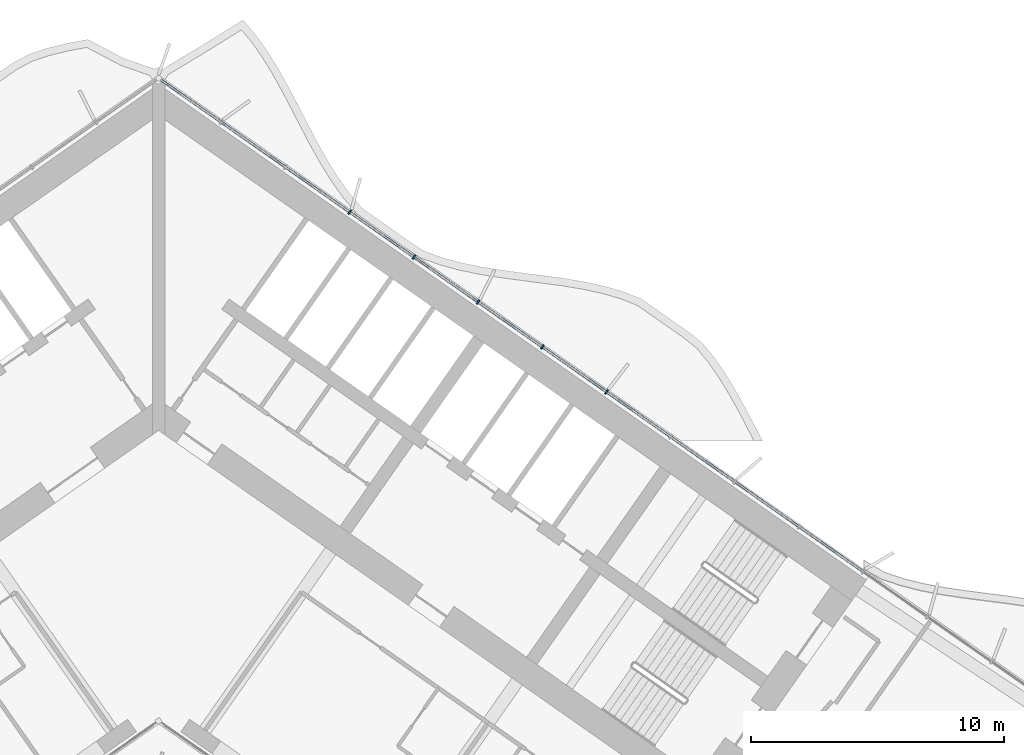
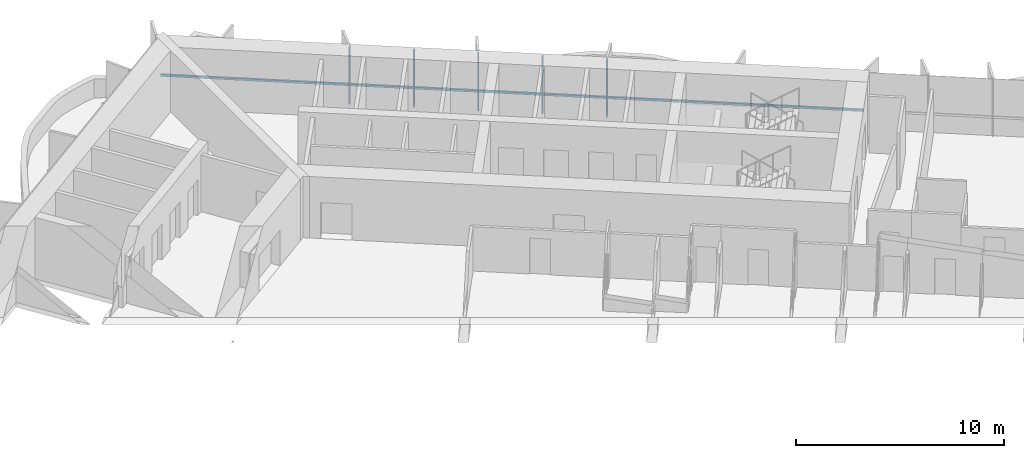
# One storey, part 8 of 25: 6 members, 1 element without a shape of its own.
"""IFC4 building model written with IfcOpenShell, lengths in metres."""

from ifc_helpers import new_model, si_unit, direction, frame, origin, origin_2d, place, context, subcontext, project, spatial, rectangle, extrude, material, material_profile, profile_set, type_object, element, aggregate, save


model = new_model("IFC4")

# Units and contexts
model_context = context("Model", 3, precision=1e-05, world=origin(), true_north=direction((0.0, 1.0)))
body_context = subcontext(model_context, "Body", "Model", "MODEL_VIEW")
ifc_project = project(units=[si_unit("LENGTHUNIT", "METRE"), si_unit("AREAUNIT", "SQUARE_METRE"), si_unit("VOLUMEUNIT", "CUBIC_METRE"), si_unit("PLANEANGLEUNIT", "RADIAN"), si_unit("MASSUNIT", "GRAM", prefix="KILO")], contexts=[model_context])

# Site, building, storey
site_placement = place(None, origin())
site = spatial("IfcSite", under=ifc_project, at=site_placement, CompositionType="ELEMENT")
building_placement = place(site_placement, origin())
building = spatial("IfcBuilding", under=site, at=building_placement, Name="Tel Ilan Convention Tower", CompositionType="ELEMENT")
storey_placement = place(building_placement, frame((0.0, 0.0, 97.699951171875)))
storey = spatial("IfcBuildingStorey", under=building, at=storey_placement, Name="L20", CompositionType="ELEMENT", Elevation=97.699951171875)

# Curtain wall, members
ifc_material_1 = material(Name="Aluminium, bronze anodised", Category="aluminium")
curtain_wall_type = type_object("IfcCurtainWallType", Name="CW2 STICK CURTAIN WALL, SPANDREL PANELS", PredefinedType="NOTDEFINED", material=ifc_material_1)
curtain_wall_placement = place(storey_placement, origin())
curtain_wall = element("IfcCurtainWall", 1, at=curtain_wall_placement, inside=storey, type_object=curtain_wall_type, Name="Curtain wall CW2-18.01", PredefinedType="NOTDEFINED")
ifc_material_2 = material(Name="Aluminium, bronze anodised", Category="aluminium")
ifc_material_profile_1 = material_profile(ifc_material_2, rectangle(XDim=0.06005859375, YDim=0.199951171875, at=origin_2d()), Name="CW MULLION 60x200")
ifc_profile_set_1 = profile_set([ifc_material_profile_1], Name="Aluminium, bronze anodised")
member_type_1 = type_object("IfcMemberType", Name="CW MULLION 60x200", PredefinedType="MULLION", material=ifc_profile_set_1)
member_1_placement = place(storey_placement, frame((17.701171875, 0.301513671875, 0.0), z_axis=(0.0, 0.0, 1.0), x_axis=(-0.819152044289, 0.573576436351, 0.0)))
member_1 = element("IfcMember", 2, at=member_1_placement, type_object=member_type_1, Name="Mullion", PredefinedType="MULLION", context=body_context, shape_type="SweptSolid", body=[
    extrude(rectangle(XDim=0.06005859375, YDim=0.199951171875, at=origin_2d()), origin(), (0.0, 0.0, 1.0), 3.320068359375),
])
member_2_placement = place(storey_placement, frame((15.1640625, 2.077880859375, 0.0), z_axis=(0.0, 0.0, 1.0), x_axis=(-0.819152044289, 0.573576436351, 0.0)))
member_2 = element("IfcMember", 3, at=member_2_placement, type_object=member_type_1, Name="Mullion", PredefinedType="MULLION", context=body_context, shape_type="SweptSolid", body=[
    extrude(rectangle(XDim=0.06005859375, YDim=0.199951171875, at=origin_2d()), origin(), (0.0, 0.0, 1.0), 3.320068359375),
])
member_3_placement = place(storey_placement, frame((12.627197265625, 3.854248046875, 0.0), z_axis=(0.0, 0.0, 1.0), x_axis=(-0.819152044289, 0.573576436351, 0.0)))
member_3 = element("IfcMember", 4, at=member_3_placement, type_object=member_type_1, Name="Mullion", PredefinedType="MULLION", context=body_context, shape_type="SweptSolid", body=[
    extrude(rectangle(XDim=0.06005859375, YDim=0.199951171875, at=origin_2d()), origin(), (0.0, 0.0, 1.0), 3.320068359375),
])
member_4_placement = place(storey_placement, frame((10.09033203125, 5.630615234375, 0.0), z_axis=(0.0, 0.0, 1.0), x_axis=(-0.819152044289, 0.573576436351, 0.0)))
member_4 = element("IfcMember", 5, at=member_4_placement, type_object=member_type_1, Name="Mullion", PredefinedType="MULLION", context=body_context, shape_type="SweptSolid", body=[
    extrude(rectangle(XDim=0.06005859375, YDim=0.199951171875, at=origin_2d()), origin(), (0.0, 0.0, 1.0), 3.320068359375),
])
member_5_placement = place(storey_placement, frame((7.553466796875, 7.406982421875, 0.0), z_axis=(0.0, 0.0, 1.0), x_axis=(-0.819152044289, 0.573576436351, 0.0)))
member_5 = element("IfcMember", 6, at=member_5_placement, type_object=member_type_1, Name="Mullion", PredefinedType="MULLION", context=body_context, shape_type="SweptSolid", body=[
    extrude(rectangle(XDim=0.06005859375, YDim=0.199951171875, at=origin_2d()), origin(), (0.0, 0.0, 1.0), 3.320068359375),
])
ifc_material_3 = material(Name="Aluminium, bronze anodised", Category="aluminium")
ifc_material_profile_2 = material_profile(ifc_material_3, rectangle(XDim=0.10009765625, YDim=0.1201171875, at=origin_2d()), Name="CW TRANSOM 100x120")
ifc_profile_set_2 = profile_set([ifc_material_profile_2], Name="Aluminium, bronze anodised")
member_type_2 = type_object("IfcMemberType", Name="CW TRANSOM 100x120", PredefinedType="USERDEFINED", material=ifc_profile_set_2)
member_6_placement = place(storey_placement, frame((27.82421875, -6.78662109375, 1.10009765625), z_axis=(-0.819151916241, 0.573576619222, 0.0), x_axis=(-0.573576619222, -0.819151916241, 0.0)))
member_6 = element("IfcMember", 7, at=member_6_placement, type_object=member_type_2, Name="Transom", ObjectType="TRANSOM", PredefinedType="USERDEFINED", context=body_context, shape_type="SweptSolid", body=[
    extrude(rectangle(XDim=0.10009765625, YDim=0.1201171875, at=origin_2d()), origin(), (0.0, 0.0, 1.0), 33.837158203125),
])
aggregate(curtain_wall, [member_1, member_2, member_3, member_4, member_5, member_6])

save(model, "model.ifc")
